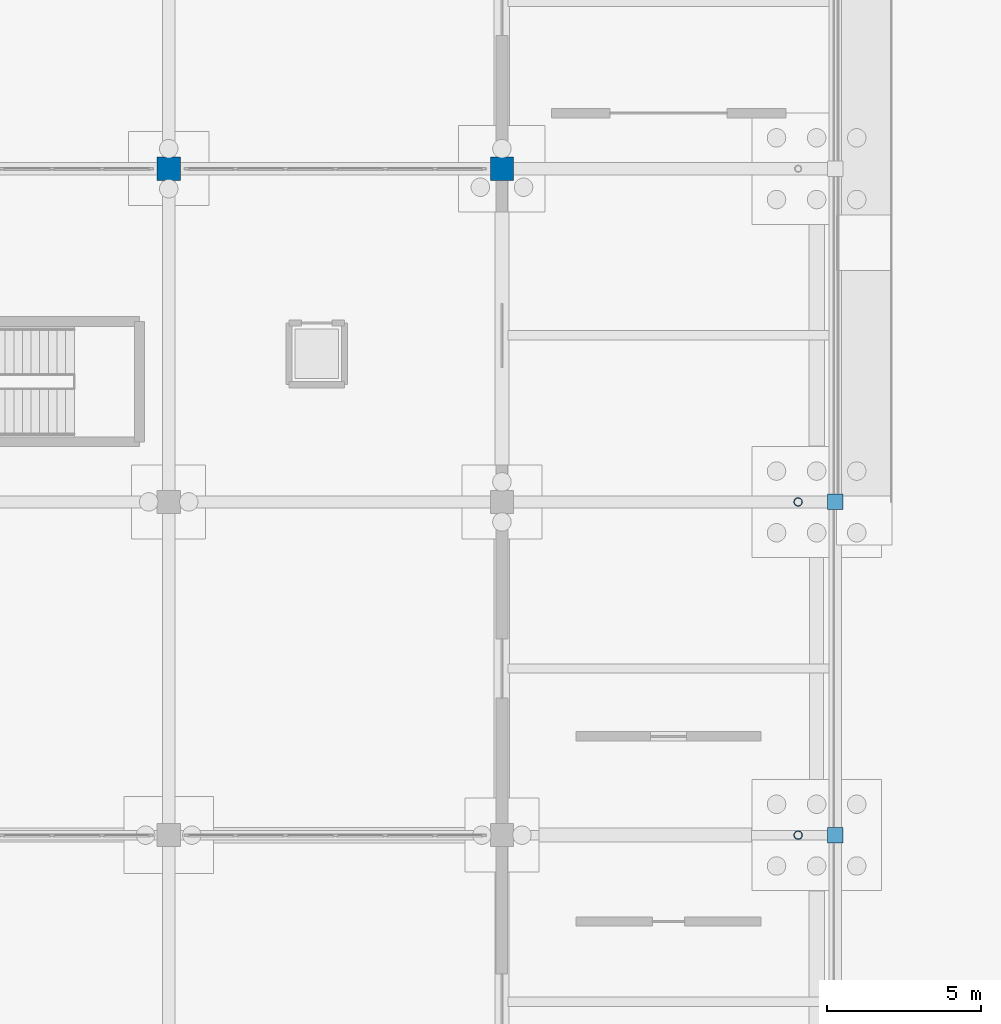
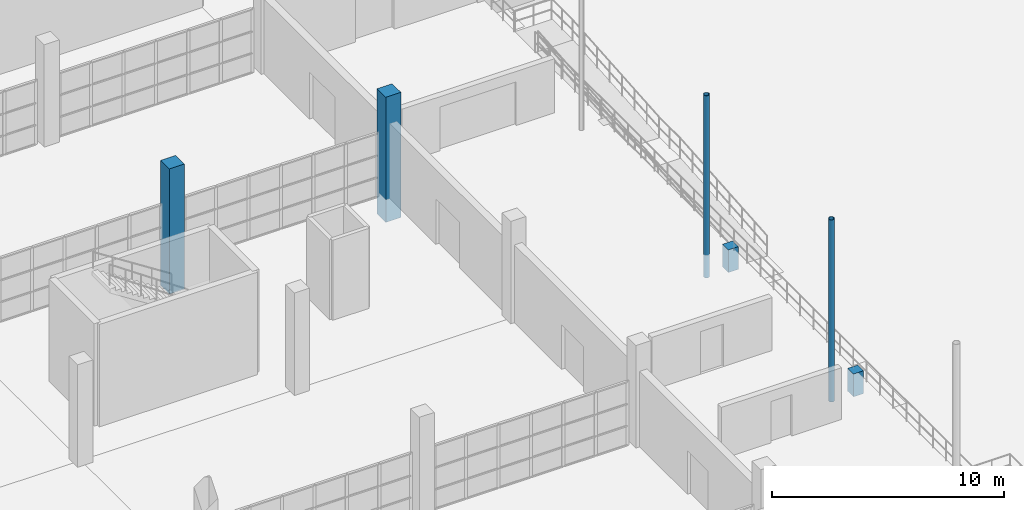
# One storey, part 12 of 138: 6 columns.
"""IFC4 building model written with IfcOpenShell, lengths in metres."""

from ifc_helpers import new_model, si_unit, direction, frame, origin, origin_2d, place, context, subcontext, project, spatial, rectangle, hollow_circle, extrude, material, material_profile, profile_set, type_object, element, save


model = new_model("IFC4")

# Units and contexts
model_context = context("Model", 3, precision=1e-05, world=origin(), true_north=direction((0.0, 1.0)))
body_context = subcontext(model_context, "Body", "Model", "MODEL_VIEW")
ifc_project = project(units=[si_unit("LENGTHUNIT", "METRE"), si_unit("AREAUNIT", "SQUARE_METRE"), si_unit("VOLUMEUNIT", "CUBIC_METRE"), si_unit("PLANEANGLEUNIT", "RADIAN"), si_unit("MASSUNIT", "GRAM", prefix="KILO")], contexts=[model_context])

# Site, building, storey
site_placement = place(None, origin())
site = spatial("IfcSite", under=ifc_project, at=site_placement, CompositionType="ELEMENT")
building_placement = place(site_placement, origin())
building = spatial("IfcBuilding", under=site, at=building_placement, Name="Zwinboog Wholesale Market", CompositionType="ELEMENT")
storey_placement = place(building_placement, origin())
storey = spatial("IfcBuildingStorey", under=building, at=storey_placement, Name="L00", CompositionType="ELEMENT", Elevation=0.0)

# Columns
ifc_material_1 = material(Name="Precast concrete C45/55", Category="concrete")
ifc_material_profile_1 = material_profile(ifc_material_1, rectangle(XDim=0.75, YDim=0.75, at=origin_2d()), Name="PC 750x750")
ifc_profile_set_1 = profile_set([ifc_material_profile_1], Name="Precast concrete C45/55")
column_type_1 = type_object("IfcColumnType", Name="CT-01", PredefinedType="COLUMN", material=ifc_profile_set_1)
for number, where, z_axis, x_axis, name in (
    (1, (162.0, 86.39990234375, -1.199951171875), (0.0, 0.0, 1.0), (1.0, 0.0, 0.0), "C-01 (COL-L00-0387)"),
    (2, (172.800048828125, 86.39990234375, -1.199951171875), (0.0, 0.0, 1.0), (1.0, 0.0, 0.0), "C-01 (COL-L00-0423)"),
):
    element("IfcColumn", number, at=place(storey_placement, frame(where, z_axis=z_axis, x_axis=x_axis)), inside=storey, type_object=column_type_1, Name=name, PredefinedType="COLUMN", context=body_context, shape_type="SweptSolid", body=[
        extrude(rectangle(XDim=0.75, YDim=0.75, at=origin_2d()), origin(), (0.0, 0.0, 1.0), 6.599853515625),
    ])
ifc_material_profile_2 = material_profile(ifc_material_1, rectangle(XDim=0.5, YDim=0.5, at=origin_2d()), Name="PC 500x500")
ifc_profile_set_2 = profile_set([ifc_material_profile_2], Name="Precast concrete C45/55")
column_type_2 = type_object("IfcColumnType", Name="CT-06", PredefinedType="COLUMN", material=ifc_profile_set_2)
for number, where, z_axis, x_axis, name in (
    (3, (183.60009765625, 64.800048828125, -1.199951171875), (0.0, 0.0, 1.0), (1.0, 0.0, 0.0), "C-06 (COL-L00-0447)"),
    (4, (183.60009765625, 75.60009765625, -1.199951171875), (0.0, 0.0, 1.0), (1.0, 0.0, 0.0), "C-06 (COL-L00-0448)"),
):
    element("IfcColumn", number, at=place(storey_placement, frame(where, z_axis=z_axis, x_axis=x_axis)), inside=storey, type_object=column_type_2, Name=name, PredefinedType="COLUMN", context=body_context, shape_type="SweptSolid", body=[
        extrude(rectangle(XDim=0.5, YDim=0.5, at=origin_2d()), origin(), (0.0, 0.0, 1.0), 1.199951171875),
    ])
ifc_material_2 = material(Name="Steel S355", Category="steel")
ifc_material_profile_3 = material_profile(ifc_material_2, hollow_circle(Radius=0.136474609375, WallThickness=0.012451171875, at=origin_2d()), Name="CHS 273x12.5")
ifc_profile_set_3 = profile_set([ifc_material_profile_3], Name="Steel S355")
column_type_3 = type_object("IfcColumnType", Name="CT-10", PredefinedType="PILASTER", material=ifc_profile_set_3)
for number, where, z_axis, x_axis, name in (
    (5, (182.39990234375, 64.800048828125, -1.199951171875), (0.0, 0.0, 1.0), (1.0, 0.0, 0.0), "CS-02 (COL-CAN-02)"),
    (6, (182.39990234375, 75.60009765625, -1.199951171875), (0.0, 0.0, 1.0), (1.0, 0.0, 0.0), "CS-02 (COL-CAN-03)"),
):
    element("IfcColumn", number, at=place(storey_placement, frame(where, z_axis=z_axis, x_axis=x_axis)), inside=storey, type_object=column_type_3, Name=name, PredefinedType="PILASTER", context=body_context, shape_type="SweptSolid", body=[
        extrude(hollow_circle(Radius=0.136474609375, WallThickness=0.012451171875, at=origin_2d()), origin(), (0.0, 0.0, 1.0), 9.599853515625),
    ])

save(model, "model.ifc")
